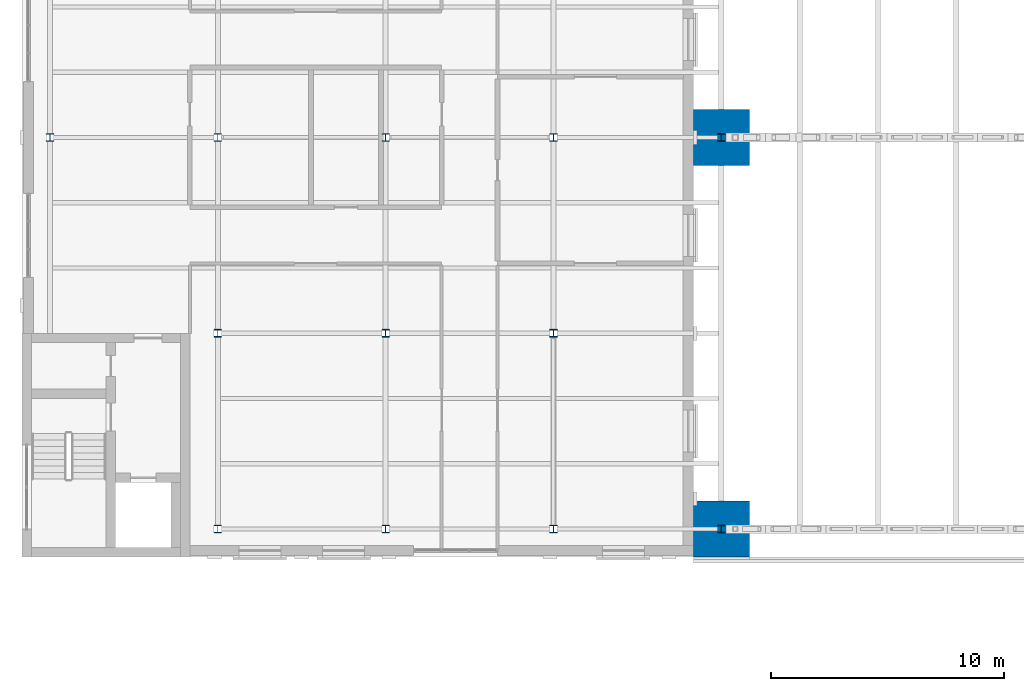
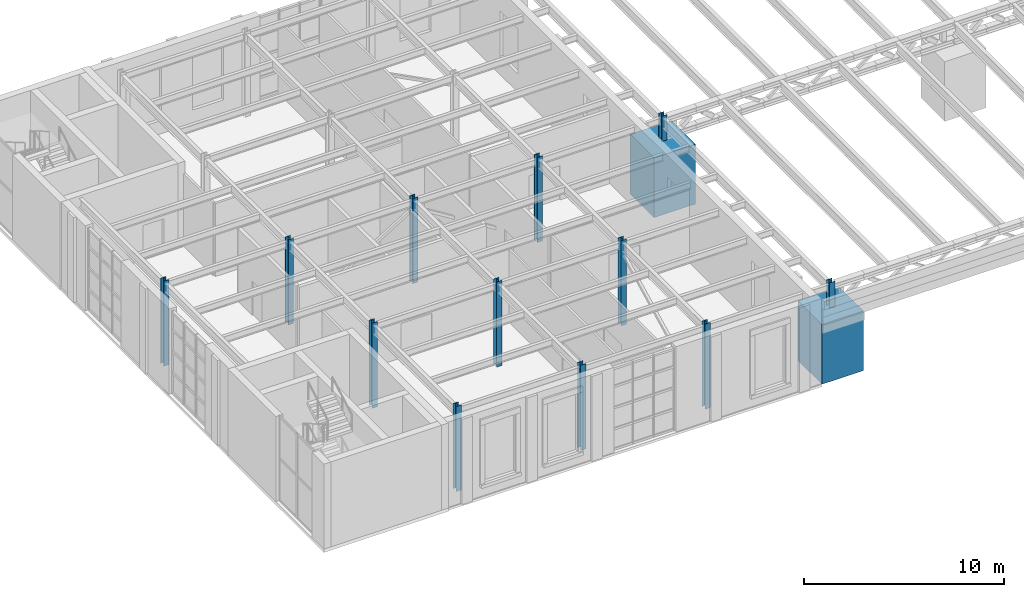
# One storey, part 1 of 93: 14 columns.
"""IFC4 building model written with IfcOpenShell, lengths in metres."""

from ifc_helpers import new_model, si_unit, direction, frame, origin, origin_2d, place, context, subcontext, project, spatial, rectangle, i_section, extrude, material, material_profile, profile_set, type_object, element, save


model = new_model("IFC4")

# Units and contexts
model_context = context("Model", 3, precision=1e-05, world=origin(), true_north=direction((0.0, 1.0)))
body_context = subcontext(model_context, "Body", "Model", "MODEL_VIEW")
ifc_project = project(units=[si_unit("LENGTHUNIT", "METRE"), si_unit("AREAUNIT", "SQUARE_METRE"), si_unit("VOLUMEUNIT", "CUBIC_METRE"), si_unit("PLANEANGLEUNIT", "RADIAN"), si_unit("MASSUNIT", "GRAM", prefix="KILO")], contexts=[model_context])

# Site, building, storey
site_placement = place(None, origin())
site = spatial("IfcSite", under=ifc_project, at=site_placement, CompositionType="ELEMENT")
building_placement = place(site_placement, origin())
building = spatial("IfcBuilding", under=site, at=building_placement, Name="Verrick Yard Athletic Hall", CompositionType="ELEMENT")
storey_placement = place(building_placement, frame((0.0, 0.0, 8.800048828125)))
storey = spatial("IfcBuildingStorey", under=building, at=storey_placement, Name="L02", CompositionType="ELEMENT", Elevation=8.800048828125)

# Columns
ifc_material_1 = material(Name="Concrete 35 MPa", Category="concrete")
ifc_material_profile_1 = material_profile(ifc_material_1, rectangle(XDim=2.39990234375, YDim=2.39990234375, at=origin_2d()), Name="STR Buttress pier PR1")
ifc_profile_set_1 = profile_set([ifc_material_profile_1], Name="Concrete 35 MPa")
column_type_1 = type_object("IfcColumnType", Name="STR Buttress pier PR1", PredefinedType="COLUMN", material=ifc_profile_set_1)
for number, where, z_axis, x_axis, name in (
    (1, (40.0, 19.199951171875, 0.0), (0.0, 0.0, 1.0), (1.0, 0.0, 0.0), "Buttress pier P1A"),
    (2, (40.0, 36.0, 0.0), (0.0, 0.0, 1.0), (1.0, 0.0, 0.0), "Buttress pier P1B"),
):
    element("IfcColumn", number, at=place(storey_placement, frame(where, z_axis=z_axis, x_axis=x_axis)), inside=storey, type_object=column_type_1, Name=name, PredefinedType="COLUMN", context=body_context, shape_type="SweptSolid", body=[
        extrude(rectangle(XDim=2.39990234375, YDim=2.39990234375, at=origin_2d()), origin(), (0.0, 0.0, 1.0), 3.64990234375),
    ])
ifc_material_2 = material(Name="Structural steel 350W (CSA G40.21)", Category="steel")
ifc_material_profile_2 = material_profile(ifc_material_2, i_section(OverallWidth=0.30908203125, OverallDepth=0.322998046875, WebThickness=0.013916015625, FlangeThickness=0.02294921875, at=origin_2d()), Name="W310x143")
ifc_profile_set_2 = profile_set([ifc_material_profile_2], Name="Structural steel 350W (CSA G40.21)")
column_type_2 = type_object("IfcColumnType", Name="STR Wing column W310x143", PredefinedType="COLUMN", material=ifc_profile_set_2)
for number, where, z_axis, x_axis, name in (
    (3, (11.199951171875, 36.0, 0.0), (0.0, 0.0, 1.0), (1.0, 0.0, 0.0), "Wing column WC13"),
    (4, (18.39990234375, 19.199951171875, 0.0), (0.0, 0.0, 1.0), (1.0, 0.0, 0.0), "Wing column WC21"),
    (5, (18.39990234375, 27.60009765625, 0.0), (0.0, 0.0, 1.0), (1.0, 0.0, 0.0), "Wing column WC22"),
    (6, (18.39990234375, 36.0, 0.0), (0.0, 0.0, 1.0), (1.0, 0.0, 0.0), "Wing column WC23"),
    (7, (25.60009765625, 19.199951171875, 0.0), (0.0, 0.0, 1.0), (1.0, 0.0, 0.0), "Wing column WC31"),
    (8, (25.60009765625, 27.60009765625, 0.0), (0.0, 0.0, 1.0), (1.0, 0.0, 0.0), "Wing column WC32"),
    (9, (25.60009765625, 36.0, 0.0), (0.0, 0.0, 1.0), (1.0, 0.0, 0.0), "Wing column WC33"),
    (10, (32.800048828125, 19.199951171875, 0.0), (0.0, 0.0, 1.0), (1.0, 0.0, 0.0), "Wing column WC41"),
    (11, (32.800048828125, 27.60009765625, 0.0), (0.0, 0.0, 1.0), (1.0, 0.0, 0.0), "Wing column WC42"),
    (12, (32.800048828125, 36.0, 0.0), (0.0, 0.0, 1.0), (1.0, 0.0, 0.0), "Wing column WC43"),
):
    element("IfcColumn", number, at=place(storey_placement, frame(where, z_axis=z_axis, x_axis=x_axis)), inside=storey, type_object=column_type_2, Name=name, PredefinedType="COLUMN", context=body_context, shape_type="SweptSolid", body=[
        extrude(i_section(OverallWidth=0.30908203125, OverallDepth=0.322998046875, WebThickness=0.013916015625, FlangeThickness=0.02294921875, at=origin_2d()), origin(), (0.0, 0.0, 1.0), 5.199951171875),
    ])
for number, where, z_axis, x_axis, name in (
    (13, (40.0, 19.199951171875, 3.64990234375), (0.0, 0.0, 1.0), (1.0, 0.0, 0.0), "Wing east column 19.2"),
    (14, (40.0, 36.0, 3.64990234375), (0.0, 0.0, 1.0), (1.0, 0.0, 0.0), "Wing east column 36"),
):
    element("IfcColumn", number, at=place(storey_placement, frame(where, z_axis=z_axis, x_axis=x_axis)), inside=storey, type_object=column_type_2, Name=name, PredefinedType="COLUMN", context=body_context, shape_type="SweptSolid", body=[
        extrude(i_section(OverallWidth=0.30908203125, OverallDepth=0.322998046875, WebThickness=0.013916015625, FlangeThickness=0.02294921875, at=origin_2d()), origin(), (0.0, 0.0, 1.0), 1.550048828125),
    ])

save(model, "model.ifc")
